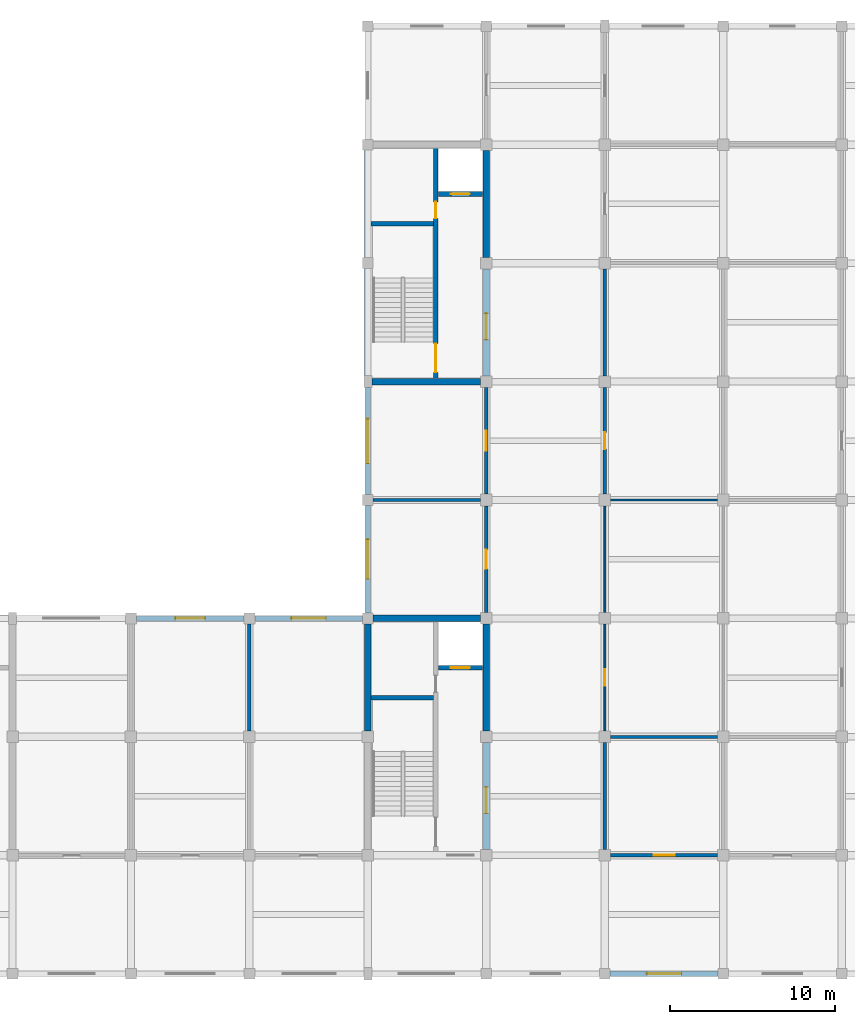
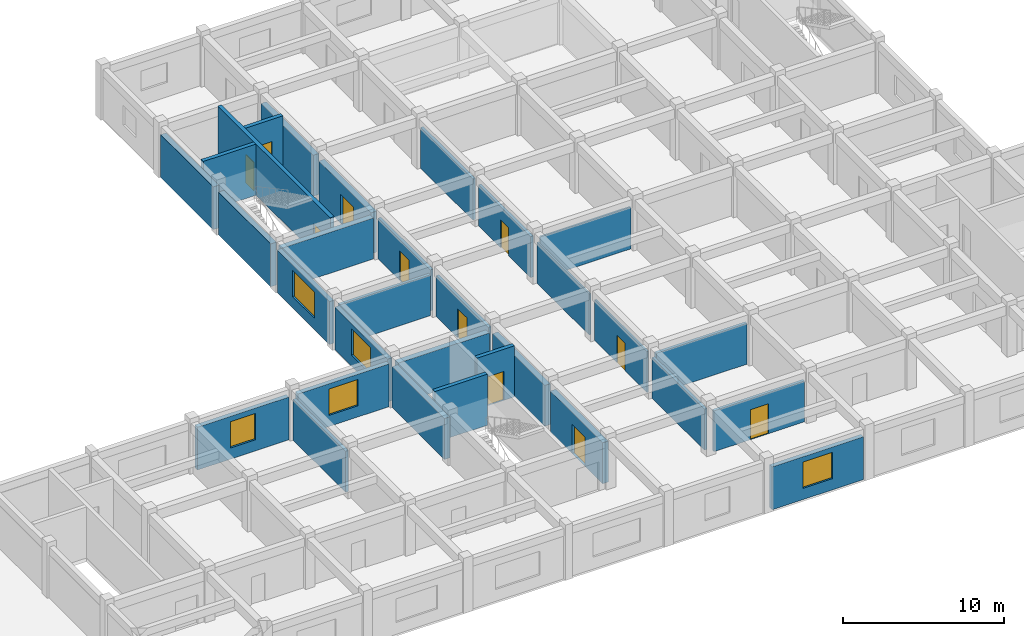
# One storey, part 5 of 10: 31 walls, 11 doors, 5 windows, 16 openings.
"""IFC4 building model written with IfcOpenShell, lengths in metres."""

from ifc_helpers import new_model, si_unit, direction, frame, frame_2d, origin, place, context, subcontext, project, spatial, rectangle, extrude, material, layer, layer_set, type_object, element, fill, save


model = new_model("IFC4")

# Units and contexts
model_context = context("Model", 3, precision=1e-05, world=origin(), true_north=direction((0.0, 1.0)))
body_context = subcontext(model_context, "Body", "Model", "MODEL_VIEW")
ifc_project = project(units=[si_unit("LENGTHUNIT", "METRE"), si_unit("AREAUNIT", "SQUARE_METRE"), si_unit("VOLUMEUNIT", "CUBIC_METRE"), si_unit("PLANEANGLEUNIT", "RADIAN"), si_unit("MASSUNIT", "GRAM", prefix="KILO")], contexts=[model_context])

# Site, building, storey
site_placement = place(None, origin())
site = spatial("IfcSite", under=ifc_project, at=site_placement, CompositionType="ELEMENT")
building_placement = place(site_placement, origin())
building = spatial("IfcBuilding", under=site, at=building_placement, Name="Cendaluz Park School", CompositionType="ELEMENT")
storey_placement = place(building_placement, frame((0.0, 0.0, 30.60009765625)))
storey = spatial("IfcBuildingStorey", under=building, at=storey_placement, Name="L07", CompositionType="ELEMENT", Elevation=30.60009765625)

# Wall
ifc_material_1 = material(Name="Gypsum Plasterboard on Cold-Formed Stud", Category="gypsum")
ifc_layer_1 = layer(ifc_material_1, 0.199951171875)
ifc_layer_set_1 = layer_set([ifc_layer_1], Name="Gypsum Plasterboard on Cold-Formed Stud")
wall_type_1 = type_object("IfcWallType", Name="W-AC20", PredefinedType="PARTITIONING", material=ifc_layer_set_1)
wall_1_placement = place(storey_placement, frame((65.125, 36.0, 0.0), z_axis=(0.0, 0.0, 1.0), x_axis=(1.0, 0.0, 0.0)))
element("IfcWall", 1, at=wall_1_placement, inside=storey, type_object=wall_type_1, Name="WL-FH-BP0", PredefinedType="PARTITIONING", context=body_context, shape_type="SweptSolid", body=[
    extrude(rectangle(XDim=6.52490234375, YDim=0.199951171875, at=frame_2d((3.262451171875, 0.0))), origin(), (0.0, 0.0, 1.0), 3.10986328125),
])

# Wall, opening, door
wall_2_placement = place(storey_placement, frame((72.0, 29.14990234375, 0.0), z_axis=(0.0, 0.0, 1.0), x_axis=(0.0, 1.0, 0.0)))
wall_2 = element("IfcWall", 2, at=wall_2_placement, inside=storey, type_object=wall_type_1, Name="WL-FH-BP1", PredefinedType="PARTITIONING", context=body_context, shape_type="SweptSolid", body=[
    extrude(rectangle(XDim=6.5, YDim=0.199951171875, at=frame_2d((3.25, 0.0))), origin(), (0.0, 0.0, 1.0), 3.10986328125),
])
opening_1_placement = place(wall_2_placement, frame((2.669921875, 0.0, 0.0)))
opening_1 = element("IfcOpeningElement", 3, at=opening_1_placement, cuts=wall_2, Name="Opening DCL-07", PredefinedType="OPENING", context=body_context, shape_type="SweptSolid", body=[
    extrude(rectangle(XDim=1.159912109375, YDim=2.219970703125, at=frame_2d((0.580078125, 1.10986328125))), frame((0.0, 0.112060546875, 0.0), z_axis=(0.0, -1.0, 0.0), x_axis=(1.0, 0.0, 0.0)), (0.0, 0.0, 1.0), 0.223876953125),
])
ifc_material_2 = material(Name="Solid Core Hardwood", Category="wood")
door_type_1 = type_object("IfcDoorType", Name="DCL-07", OperationType="NOTDEFINED", PredefinedType="DOOR", material=ifc_material_2)
door_1_placement = place(opening_1_placement, origin())
door_1 = element("IfcDoor", 4, at=door_1_placement, inside=storey, type_object=door_type_1, Name="D-L07-037", OperationType="SINGLE_SWING_RIGHT", OverallHeight=2.219970703125, OverallWidth=1.159912109375, PredefinedType="DOOR", context=body_context, shape_type="SweptSolid", body=[
    extrude(rectangle(XDim=1.159912109375, YDim=2.219970703125, at=frame_2d((0.580078125, 1.10986328125))), frame((0.0, 0.02490234375, 0.0), z_axis=(0.0, -1.0, 0.0), x_axis=(1.0, 0.0, 0.0)), (0.0, 0.0, 1.0), 0.050048828125),
])
fill(opening_1, door_1)

wall_3_placement = place(storey_placement, frame((72.0, 36.35009765625, 0.0), z_axis=(0.0, 0.0, 1.0), x_axis=(0.0, 1.0, 0.0)))
wall_3 = element("IfcWall", 5, at=wall_3_placement, inside=storey, type_object=wall_type_1, Name="WL-FH-BP2", PredefinedType="PARTITIONING", context=body_context, shape_type="SweptSolid", body=[
    extrude(rectangle(XDim=6.5, YDim=0.199951171875, at=frame_2d((3.25, 0.0))), origin(), (0.0, 0.0, 1.0), 3.10986328125),
])
opening_2_placement = place(wall_3_placement, frame((2.64990234375, 0.0, 0.0)))
opening_2 = element("IfcOpeningElement", 6, at=opening_2_placement, cuts=wall_3, Name="Opening DCL-08", PredefinedType="OPENING", context=body_context, shape_type="SweptSolid", body=[
    extrude(rectangle(XDim=1.199951171875, YDim=2.239990234375, at=frame_2d((0.60009765625, 1.1201171875))), frame((0.0, 0.112060546875, 0.0), z_axis=(0.0, -1.0, 0.0), x_axis=(1.0, 0.0, 0.0)), (0.0, 0.0, 1.0), 0.223876953125),
])
door_type_2 = type_object("IfcDoorType", Name="DCL-08", OperationType="NOTDEFINED", PredefinedType="DOOR", material=ifc_material_2)
door_2_placement = place(opening_2_placement, origin())
door_2 = element("IfcDoor", 7, at=door_2_placement, inside=storey, type_object=door_type_2, Name="D-L07-038", OperationType="SINGLE_SWING_LEFT", OverallHeight=2.239990234375, OverallWidth=1.199951171875, PredefinedType="DOOR", context=body_context, shape_type="SweptSolid", body=[
    extrude(rectangle(XDim=1.199951171875, YDim=2.239990234375, at=frame_2d((0.60009765625, 1.1201171875))), frame((0.0, 0.02490234375, 0.0), z_axis=(0.0, -1.0, 0.0), x_axis=(1.0, 0.0, 0.0)), (0.0, 0.0, 1.0), 0.050048828125),
])
fill(opening_2, door_2)

wall_4_placement = place(storey_placement, frame((79.550048828125, 14.39990234375, 0.0), z_axis=(0.0, 0.0, 1.0), x_axis=(1.0, 0.0, 0.0)))
wall_4 = element("IfcWall", 8, at=wall_4_placement, inside=storey, type_object=wall_type_1, Name="WL-FH-BP4", PredefinedType="PARTITIONING", context=body_context, shape_type="SweptSolid", body=[
    extrude(rectangle(XDim=6.5, YDim=0.199951171875, at=frame_2d((3.25, 0.0))), origin(), (0.0, 0.0, 1.0), 3.10986328125),
])
opening_3_placement = place(wall_4_placement, frame((2.610107421875, 0.0, 0.0)))
opening_3 = element("IfcOpeningElement", 9, at=opening_3_placement, cuts=wall_4, Name="Opening DCL-10", PredefinedType="OPENING", context=body_context, shape_type="SweptSolid", body=[
    extrude(rectangle(XDim=1.280029296875, YDim=2.280029296875, at=frame_2d((0.64013671875, 1.14013671875))), frame((0.0, 0.112060546875, 0.0), z_axis=(0.0, -1.0, 0.0), x_axis=(1.0, 0.0, 0.0)), (0.0, 0.0, 1.0), 0.223876953125),
])
door_type_3 = type_object("IfcDoorType", Name="DCL-10", OperationType="NOTDEFINED", PredefinedType="DOOR", material=ifc_material_2)
door_3_placement = place(opening_3_placement, origin())
door_3 = element("IfcDoor", 10, at=door_3_placement, inside=storey, type_object=door_type_3, Name="D-L07-040", OperationType="SINGLE_SWING_LEFT", OverallHeight=2.280029296875, OverallWidth=1.280029296875, PredefinedType="DOOR", context=body_context, shape_type="SweptSolid", body=[
    extrude(rectangle(XDim=1.280029296875, YDim=2.280029296875, at=frame_2d((0.64013671875, 1.14013671875))), frame((0.0, 0.02490234375, 0.0), z_axis=(0.0, -1.0, 0.0), x_axis=(1.0, 0.0, 0.0)), (0.0, 0.0, 1.0), 0.050048828125),
])
fill(opening_3, door_3)

# Walls
for number, where, z_axis, x_axis, name in (
    (11, (79.550048828125, 21.60009765625, 0.0), (0.0, 0.0, 1.0), (1.0, 0.0, 0.0), "WL-FH-BP5"),
    (12, (79.199951171875, 14.75, 0.0), (0.0, 0.0, 1.0), (0.0, 1.0, 0.0), "WL-FH-BP6"),
):
    element("IfcWall", number, at=place(storey_placement, frame(where, z_axis=z_axis, x_axis=x_axis)), inside=storey, type_object=wall_type_1, Name=name, PredefinedType="PARTITIONING", context=body_context, shape_type="SweptSolid", body=[
        extrude(rectangle(XDim=6.5, YDim=0.199951171875, at=frame_2d((3.25, 0.0))), origin(), (0.0, 0.0, 1.0), 3.10986328125),
    ])

# Wall, opening, door
wall_5_placement = place(storey_placement, frame((79.199951171875, 36.35009765625, 0.0), z_axis=(0.0, 0.0, 1.0), x_axis=(0.0, 1.0, 0.0)))
wall_5 = element("IfcWall", 13, at=wall_5_placement, inside=storey, type_object=wall_type_1, Name="WL-FH-BQ3", PredefinedType="PARTITIONING", context=body_context, shape_type="SweptSolid", body=[
    extrude(rectangle(XDim=6.5, YDim=0.199951171875, at=frame_2d((3.25, 0.0))), origin(), (0.0, 0.0, 1.0), 3.10986328125),
])
opening_4_placement = place(wall_5_placement, frame((2.739990234375, 0.0, 0.0)))
opening_4 = element("IfcOpeningElement", 14, at=opening_4_placement, cuts=wall_5, Name="Opening DCL-02", PredefinedType="OPENING", context=body_context, shape_type="SweptSolid", body=[
    extrude(rectangle(XDim=1.02001953125, YDim=2.1201171875, at=frame_2d((0.510009765625, 1.06005859375))), frame((0.0, 0.112060546875, 0.0), z_axis=(0.0, -1.0, 0.0), x_axis=(1.0, 0.0, 0.0)), (0.0, 0.0, 1.0), 0.223876953125),
])
door_type_4 = type_object("IfcDoorType", Name="DCL-02", OperationType="NOTDEFINED", PredefinedType="DOOR", material=ifc_material_2)
door_4_placement = place(opening_4_placement, frame((1.02001953125, 0.0, 0.0), z_axis=(0.0, 0.0, 1.0), x_axis=(-1.0, 0.0, 0.0)))
door_4 = element("IfcDoor", 15, at=door_4_placement, inside=storey, type_object=door_type_4, Name="D-L07-042", OperationType="SINGLE_SWING_LEFT", OverallHeight=2.1201171875, OverallWidth=1.02001953125, PredefinedType="DOOR", context=body_context, shape_type="SweptSolid", body=[
    extrude(rectangle(XDim=1.02001953125, YDim=2.1201171875, at=frame_2d((0.510009765625, 1.06005859375))), frame((0.0, 0.02490234375, 0.0), z_axis=(0.0, -1.0, 0.0), x_axis=(1.0, 0.0, 0.0)), (0.0, 0.0, 1.0), 0.050048828125),
])
fill(opening_4, door_4)

# Wall
wall_6_placement = place(storey_placement, frame((79.199951171875, 43.550048828125, 0.0), z_axis=(0.0, 0.0, 1.0), x_axis=(0.0, 1.0, 0.0)))
element("IfcWall", 16, at=wall_6_placement, inside=storey, type_object=wall_type_1, Name="WL-FH-BQ5", PredefinedType="PARTITIONING", context=body_context, shape_type="SweptSolid", body=[
    extrude(rectangle(XDim=6.5, YDim=0.199951171875, at=frame_2d((3.25, 0.0))), origin(), (0.0, 0.0, 1.0), 3.10986328125),
])

# Wall, opening, window
ifc_material_3 = material(Name="Concrete C40/50 precast", Category="concrete")
ifc_layer_2 = layer(ifc_material_3, 0.320068359375)
ifc_layer_set_2 = layer_set([ifc_layer_2], Name="Concrete C40/50 precast")
wall_type_2 = type_object("IfcWallType", Name="W-EX32", PredefinedType="SOLIDWALL", material=ifc_layer_set_2)
wall_7_placement = place(storey_placement, frame((50.72509765625, 28.800048828125, 0.0), z_axis=(0.0, 0.0, 1.0), x_axis=(1.0, 0.0, 0.0)))
wall_7 = element("IfcWall", 17, at=wall_7_placement, inside=storey, type_object=wall_type_2, Name="WL-FH-AA5", PredefinedType="SOLIDWALL", context=body_context, shape_type="SweptSolid", body=[
    extrude(rectangle(XDim=6.5498046875, YDim=0.320068359375, at=frame_2d((3.27490234375, 0.0))), origin(), (0.0, 0.0, 1.0), 3.25),
])
opening_5_placement = place(wall_7_placement, frame((2.375, 0.0, 0.85009765625)))
opening_5 = element("IfcOpeningElement", 18, at=opening_5_placement, cuts=wall_7, Name="Opening WN-10", PredefinedType="OPENING", context=body_context, shape_type="SweptSolid", body=[
    extrude(rectangle(XDim=1.800048828125, YDim=2.0, at=frame_2d((0.89990234375, 1.0))), frame((0.0, 0.172119140625, 0.0), z_axis=(0.0, -1.0, 0.0), x_axis=(1.0, 0.0, 0.0)), (0.0, 0.0, 1.0), 0.343994140625),
])
ifc_material_4 = material(Name="Tempered Low-E Double Glazing", Category="glass")
window_type_1 = type_object("IfcWindowType", Name="WN-10", PartitioningType="SINGLE_PANEL", PredefinedType="WINDOW", material=ifc_material_4)
window_1_placement = place(opening_5_placement, origin())
window_1 = element("IfcWindow", 19, at=window_1_placement, inside=storey, type_object=window_type_1, Name="WN-L07-005", OverallHeight=2.0, OverallWidth=1.800048828125, PartitioningType="SINGLE_PANEL", PredefinedType="WINDOW", context=body_context, shape_type="SweptSolid", body=[
    extrude(rectangle(XDim=1.800048828125, YDim=2.0, at=frame_2d((0.89990234375, 1.0))), frame((0.0, 0.030029296875, 0.0), z_axis=(0.0, -1.0, 0.0), x_axis=(1.0, 0.0, 0.0)), (0.0, 0.0, 1.0), 0.06005859375),
])
fill(opening_5, window_1)

wall_8_placement = place(storey_placement, frame((57.925048828125, 28.800048828125, 0.0), z_axis=(0.0, 0.0, 1.0), x_axis=(1.0, 0.0, 0.0)))
wall_8 = element("IfcWall", 20, at=wall_8_placement, inside=storey, type_object=wall_type_2, Name="WL-FH-AA7", PredefinedType="SOLIDWALL", context=body_context, shape_type="SweptSolid", body=[
    extrude(rectangle(XDim=6.550048828125, YDim=0.320068359375, at=frame_2d((3.27490234375, 0.0))), origin(), (0.0, 0.0, 1.0), 3.25),
])
opening_6_placement = place(wall_8_placement, frame((2.22509765625, 0.0, 0.85009765625)))
opening_6 = element("IfcOpeningElement", 21, at=opening_6_placement, cuts=wall_8, Name="Opening WN-11", PredefinedType="OPENING", context=body_context, shape_type="SweptSolid", body=[
    extrude(rectangle(XDim=2.10009765625, YDim=2.0, at=frame_2d((1.050048828125, 1.0))), frame((0.0, 0.172119140625, 0.0), z_axis=(0.0, -1.0, 0.0), x_axis=(1.0, 0.0, 0.0)), (0.0, 0.0, 1.0), 0.343994140625),
])
window_type_2 = type_object("IfcWindowType", Name="WN-11", PartitioningType="SINGLE_PANEL", PredefinedType="WINDOW", material=ifc_material_4)
window_2_placement = place(opening_6_placement, origin())
window_2 = element("IfcWindow", 22, at=window_2_placement, inside=storey, type_object=window_type_2, Name="WN-L07-007", OverallHeight=2.0, OverallWidth=2.10009765625, PartitioningType="SINGLE_PANEL", PredefinedType="WINDOW", context=body_context, shape_type="SweptSolid", body=[
    extrude(rectangle(XDim=2.10009765625, YDim=2.0, at=frame_2d((1.050048828125, 1.0))), frame((0.0, 0.030029296875, 0.0), z_axis=(0.0, -1.0, 0.0), x_axis=(1.0, 0.0, 0.0)), (0.0, 0.0, 1.0), 0.06005859375),
])
fill(opening_6, window_2)

wall_9_placement = place(storey_placement, frame((64.800048828125, 29.125, 0.0), z_axis=(0.0, 0.0, 1.0), x_axis=(0.0, 1.0, 0.0)))
wall_9 = element("IfcWall", 23, at=wall_9_placement, inside=storey, type_object=wall_type_2, Name="WL-FH-AA9", PredefinedType="SOLIDWALL", context=body_context, shape_type="SweptSolid", body=[
    extrude(rectangle(XDim=6.550048828125, YDim=0.320068359375, at=frame_2d((3.27490234375, 0.0))), origin(), (0.0, 0.0, 1.0), 3.25),
])
opening_7_placement = place(wall_9_placement, frame((2.074951171875, 0.0, 0.85009765625)))
opening_7 = element("IfcOpeningElement", 24, at=opening_7_placement, cuts=wall_9, Name="Opening WN-12", PredefinedType="OPENING", context=body_context, shape_type="SweptSolid", body=[
    extrude(rectangle(XDim=2.39990234375, YDim=2.0, at=frame_2d((1.199951171875, 1.0))), frame((0.0, 0.172119140625, 0.0), z_axis=(0.0, -1.0, 0.0), x_axis=(1.0, 0.0, 0.0)), (0.0, 0.0, 1.0), 0.343994140625),
])
window_type_3 = type_object("IfcWindowType", Name="WN-12", PartitioningType="SINGLE_PANEL", PredefinedType="WINDOW", material=ifc_material_4)
window_3_placement = place(opening_7_placement, origin())
window_3 = element("IfcWindow", 25, at=window_3_placement, inside=storey, type_object=window_type_3, Name="WN-L07-009", OverallHeight=2.0, OverallWidth=2.39990234375, PartitioningType="SINGLE_PANEL", PredefinedType="WINDOW", context=body_context, shape_type="SweptSolid", body=[
    extrude(rectangle(XDim=2.39990234375, YDim=2.0, at=frame_2d((1.199951171875, 1.0))), frame((0.0, 0.030029296875, 0.0), z_axis=(0.0, -1.0, 0.0), x_axis=(1.0, 0.0, 0.0)), (0.0, 0.0, 1.0), 0.06005859375),
])
fill(opening_7, window_3)

wall_10_placement = place(storey_placement, frame((64.800048828125, 36.324951171875, 0.0), z_axis=(0.0, 0.0, 1.0), x_axis=(0.0, 1.0, 0.0)))
wall_10 = element("IfcWall", 26, at=wall_10_placement, inside=storey, type_object=wall_type_2, Name="WL-FH-AB0", PredefinedType="SOLIDWALL", context=body_context, shape_type="SweptSolid", body=[
    extrude(rectangle(XDim=6.5, YDim=0.320068359375, at=frame_2d((3.25, 0.0))), origin(), (0.0, 0.0, 1.0), 3.25),
])
opening_8_placement = place(wall_10_placement, frame((1.89990234375, 0.0, 0.85009765625)))
opening_8 = element("IfcOpeningElement", 27, at=opening_8_placement, cuts=wall_10, Name="Opening WN-13", PredefinedType="OPENING", context=body_context, shape_type="SweptSolid", body=[
    extrude(rectangle(XDim=2.699951171875, YDim=2.0, at=frame_2d((1.35009765625, 1.0))), frame((0.0, 0.172119140625, 0.0), z_axis=(0.0, -1.0, 0.0), x_axis=(1.0, 0.0, 0.0)), (0.0, 0.0, 1.0), 0.343994140625),
])
window_type_4 = type_object("IfcWindowType", Name="WN-13", PartitioningType="SINGLE_PANEL", PredefinedType="WINDOW", material=ifc_material_4)
window_4_placement = place(opening_8_placement, origin())
window_4 = element("IfcWindow", 28, at=window_4_placement, inside=storey, type_object=window_type_4, Name="WN-L07-010", OverallHeight=2.0, OverallWidth=2.699951171875, PartitioningType="SINGLE_PANEL", PredefinedType="WINDOW", context=body_context, shape_type="SweptSolid", body=[
    extrude(rectangle(XDim=2.699951171875, YDim=2.0, at=frame_2d((1.35009765625, 1.0))), frame((0.0, 0.030029296875, 0.0), z_axis=(0.0, -1.0, 0.0), x_axis=(1.0, 0.0, 0.0)), (0.0, 0.0, 1.0), 0.06005859375),
])
fill(opening_8, window_4)

wall_11_placement = place(storey_placement, frame((79.52490234375, 7.199951171875, 0.0), z_axis=(0.0, 0.0, 1.0), x_axis=(1.0, 0.0, 0.0)))
wall_11 = element("IfcWall", 29, at=wall_11_placement, inside=storey, type_object=wall_type_2, Name="WL-FH-AB5", PredefinedType="SOLIDWALL", context=body_context, shape_type="SweptSolid", body=[
    extrude(rectangle(XDim=6.550048828125, YDim=0.320068359375, at=frame_2d((3.27490234375, 0.0))), origin(), (0.0, 0.0, 1.0), 3.25),
])
opening_9_placement = place(wall_11_placement, frame((2.22509765625, 0.0, 0.85009765625)))
opening_9 = element("IfcOpeningElement", 30, at=opening_9_placement, cuts=wall_11, Name="Opening WN-11", PredefinedType="OPENING", context=body_context, shape_type="SweptSolid", body=[
    extrude(rectangle(XDim=2.10009765625, YDim=2.0, at=frame_2d((1.050048828125, 1.0))), frame((0.0, 0.172119140625, 0.0), z_axis=(0.0, -1.0, 0.0), x_axis=(1.0, 0.0, 0.0)), (0.0, 0.0, 1.0), 0.343994140625),
])
window_5_placement = place(opening_9_placement, origin())
window_5 = element("IfcWindow", 31, at=window_5_placement, inside=storey, type_object=window_type_2, Name="WN-L07-015", OverallHeight=2.0, OverallWidth=2.10009765625, PartitioningType="SINGLE_PANEL", PredefinedType="WINDOW", context=body_context, shape_type="SweptSolid", body=[
    extrude(rectangle(XDim=2.10009765625, YDim=2.0, at=frame_2d((1.050048828125, 1.0))), frame((0.0, 0.030029296875, 0.0), z_axis=(0.0, -1.0, 0.0), x_axis=(1.0, 0.0, 0.0)), (0.0, 0.0, 1.0), 0.06005859375),
])
fill(opening_9, window_5)

# Wall
ifc_material_5 = material(Name="Concrete C40/50", Category="concrete")
ifc_layer_3 = layer(ifc_material_5, 0.280029296875)
ifc_layer_set_3 = layer_set([ifc_layer_3], Name="Concrete C40/50")
wall_type_3 = type_object("IfcWallType", Name="W-FW28", PredefinedType="SHEAR", material=ifc_layer_set_3)
wall_12_placement = place(storey_placement, frame((65.0, 23.97998046875, 0.0), z_axis=(0.0, 0.0, 1.0), x_axis=(1.0, 0.0, 0.0)))
element("IfcWall", 32, at=wall_12_placement, inside=storey, type_object=wall_type_3, Name="WL-FH-BI1", PredefinedType="SHEAR", context=body_context, shape_type="SweptSolid", body=[
    extrude(rectangle(XDim=3.780029296875, YDim=0.280029296875, at=frame_2d((1.89013671875, 0.0))), origin(), (0.0, 0.0, 1.0), 3.8798828125),
])

# Wall, opening, door
wall_13_placement = place(storey_placement, frame((69.080078125, 25.800048828125, 0.0), z_axis=(0.0, 0.0, 1.0), x_axis=(1.0, 0.0, 0.0)))
wall_13 = element("IfcWall", 33, at=wall_13_placement, inside=storey, type_object=wall_type_3, Name="WL-FH-BI2", PredefinedType="SHEAR", context=body_context, shape_type="SweptSolid", body=[
    extrude(rectangle(XDim=2.679931640625, YDim=0.280029296875, at=frame_2d((1.33984375, 0.0))), origin(), (0.0, 0.0, 1.0), 3.8798828125),
])
opening_10_placement = place(wall_13_placement, frame((0.764892578125, 0.0, 0.0)))
opening_10 = element("IfcOpeningElement", 34, at=opening_10_placement, cuts=wall_13, Name="Opening LD-01", PredefinedType="OPENING", context=body_context, shape_type="SweptSolid", body=[
    extrude(rectangle(XDim=1.14990234375, YDim=2.199951171875, at=frame_2d((0.574951171875, 1.10009765625))), frame((0.0, 0.152099609375, 0.0), z_axis=(0.0, -1.0, 0.0), x_axis=(1.0, 0.0, 0.0)), (0.0, 0.0, 1.0), 0.303955078125),
])
ifc_material_6 = material(Name="Stainless Steel 316L", Category="steel")
door_type_5 = type_object("IfcDoorType", Name="LD-01", OperationType="DOUBLE_DOOR_SLIDING", PredefinedType="DOOR", material=ifc_material_6)
door_5_placement = place(opening_10_placement, frame((1.14990234375, 0.0, 0.0), z_axis=(0.0, 0.0, 1.0), x_axis=(-1.0, 0.0, 0.0)))
door_5 = element("IfcDoor", 35, at=door_5_placement, inside=storey, type_object=door_type_5, Name="D-L07-007", OperationType="DOUBLE_DOOR_SLIDING", OverallHeight=2.199951171875, OverallWidth=1.14990234375, PredefinedType="DOOR", context=body_context, shape_type="SweptSolid", body=[
    extrude(rectangle(XDim=1.14990234375, YDim=2.199951171875, at=frame_2d((0.574951171875, 1.10009765625))), frame((0.0, 0.02490234375, 0.0), z_axis=(0.0, -1.0, 0.0), x_axis=(1.0, 0.0, 0.0)), (0.0, 0.0, 1.0), 0.050048828125),
])
fill(opening_10, door_5)

# Wall, openings, doors
wall_14_placement = place(storey_placement, frame((68.919921875, 43.39990234375, 0.0), z_axis=(0.0, 0.0, 1.0), x_axis=(0.0, 1.0, 0.0)))
wall_14 = element("IfcWall", 36, at=wall_14_placement, inside=storey, type_object=wall_type_3, Name="WL-FH-BJ8", PredefinedType="SHEAR", context=body_context, shape_type="SweptSolid", body=[
    extrude(rectangle(XDim=14.0, YDim=0.280029296875, at=frame_2d((7.0, 0.0))), origin(), (0.0, 0.0, 1.0), 3.8798828125),
])
opening_11_placement = place(wall_14_placement, frame((0.35009765625, 0.0, 0.0)))
opening_11 = element("IfcOpeningElement", 37, at=opening_11_placement, cuts=wall_14, Name="Opening DST-03", PredefinedType="OPENING", context=body_context, shape_type="SweptSolid", body=[
    extrude(rectangle(XDim=1.75, YDim=2.14990234375, at=frame_2d((0.875, 1.074951171875))), frame((0.0, 0.152099609375, 0.0), z_axis=(0.0, -1.0, 0.0), x_axis=(1.0, 0.0, 0.0)), (0.0, 0.0, 1.0), 0.303955078125),
])
opening_12_placement = place(wall_14_placement, frame((9.719970703125, 0.0, 0.0)))
opening_12 = element("IfcOpeningElement", 38, at=opening_12_placement, cuts=wall_14, Name="Opening DFC-01", PredefinedType="OPENING", context=body_context, shape_type="SweptSolid", body=[
    extrude(rectangle(XDim=1.0, YDim=2.14990234375, at=frame_2d((0.5, 1.074951171875))), frame((0.0, 0.152099609375, 0.0), z_axis=(0.0, -1.0, 0.0), x_axis=(1.0, 0.0, 0.0)), (0.0, 0.0, 1.0), 0.303955078125),
])
door_type_6 = type_object("IfcDoorType", Name="DFC-01", OperationType="NOTDEFINED", PredefinedType="DOOR", material=ifc_material_2)
door_6_placement = place(opening_12_placement, origin())
door_6 = element("IfcDoor", 39, at=door_6_placement, inside=storey, type_object=door_type_6, Name="D-L07-015", OperationType="SINGLE_SWING_LEFT", OverallHeight=2.14990234375, OverallWidth=1.0, PredefinedType="DOOR", context=body_context, shape_type="SweptSolid", body=[
    extrude(rectangle(XDim=1.0, YDim=2.14990234375, at=frame_2d((0.5, 1.074951171875))), frame((0.0, 0.02490234375, 0.0), z_axis=(0.0, -1.0, 0.0), x_axis=(1.0, 0.0, 0.0)), (0.0, 0.0, 1.0), 0.050048828125),
])
fill(opening_12, door_6)
door_type_7 = type_object("IfcDoorType", Name="DST-03", OperationType="DOUBLE_DOOR_SINGLE_SWING", PredefinedType="DOOR", material=ifc_material_2)
door_7_placement = place(opening_11_placement, origin())
door_7 = element("IfcDoor", 40, at=door_7_placement, inside=storey, type_object=door_type_7, Name="D-L07-014", OperationType="DOUBLE_DOOR_SINGLE_SWING", OverallHeight=2.14990234375, OverallWidth=1.75, PredefinedType="DOOR", context=body_context, shape_type="SweptSolid", body=[
    extrude(rectangle(XDim=1.75, YDim=2.14990234375, at=frame_2d((0.875, 1.074951171875))), frame((0.0, 0.02490234375, 0.0), z_axis=(0.0, -1.0, 0.0), x_axis=(1.0, 0.0, 0.0)), (0.0, 0.0, 1.0), 0.050048828125),
])
fill(opening_11, door_7)

# Wall
wall_15_placement = place(storey_placement, frame((65.0, 52.780029296875, 0.0), z_axis=(0.0, 0.0, 1.0), x_axis=(1.0, 0.0, 0.0)))
element("IfcWall", 41, at=wall_15_placement, inside=storey, type_object=wall_type_3, Name="WL-FH-BJ9", PredefinedType="SHEAR", context=body_context, shape_type="SweptSolid", body=[
    extrude(rectangle(XDim=3.780029296875, YDim=0.280029296875, at=frame_2d((1.89013671875, 0.0))), origin(), (0.0, 0.0, 1.0), 3.8798828125),
])

# Wall, opening, door
wall_16_placement = place(storey_placement, frame((69.080078125, 54.60009765625, 0.0), z_axis=(0.0, 0.0, 1.0), x_axis=(1.0, 0.0, 0.0)))
wall_16 = element("IfcWall", 42, at=wall_16_placement, inside=storey, type_object=wall_type_3, Name="WL-FH-BK0", PredefinedType="SHEAR", context=body_context, shape_type="SweptSolid", body=[
    extrude(rectangle(XDim=2.679931640625, YDim=0.280029296875, at=frame_2d((1.33984375, 0.0))), origin(), (0.0, 0.0, 1.0), 3.8798828125),
])
opening_13_placement = place(wall_16_placement, frame((0.764892578125, 0.0, 0.0)))
opening_13 = element("IfcOpeningElement", 43, at=opening_13_placement, cuts=wall_16, Name="Opening LD-01", PredefinedType="OPENING", context=body_context, shape_type="SweptSolid", body=[
    extrude(rectangle(XDim=1.14990234375, YDim=2.199951171875, at=frame_2d((0.574951171875, 1.10009765625))), frame((0.0, 0.152099609375, 0.0), z_axis=(0.0, -1.0, 0.0), x_axis=(1.0, 0.0, 0.0)), (0.0, 0.0, 1.0), 0.303955078125),
])
door_8_placement = place(opening_13_placement, frame((1.14990234375, 0.0, 0.0), z_axis=(0.0, 0.0, 1.0), x_axis=(-1.0, 0.0, 0.0)))
door_8 = element("IfcDoor", 44, at=door_8_placement, inside=storey, type_object=door_type_5, Name="D-L07-016", OperationType="DOUBLE_DOOR_SLIDING", OverallHeight=2.199951171875, OverallWidth=1.14990234375, PredefinedType="DOOR", context=body_context, shape_type="SweptSolid", body=[
    extrude(rectangle(XDim=1.14990234375, YDim=2.199951171875, at=frame_2d((0.574951171875, 1.10009765625))), frame((0.0, 0.02490234375, 0.0), z_axis=(0.0, -1.0, 0.0), x_axis=(1.0, 0.0, 0.0)), (0.0, 0.0, 1.0), 0.050048828125),
])
fill(opening_13, door_8)

# Wall
ifc_layer_4 = layer(ifc_material_1, 0.219970703125)
ifc_layer_set_4 = layer_set([ifc_layer_4], Name="Gypsum Plasterboard on Cold-Formed Stud")
wall_type_4 = type_object("IfcWallType", Name="W-LB22", PredefinedType="PARTITIONING", material=ifc_layer_set_4)
wall_17_placement = place(storey_placement, frame((57.60009765625, 21.949951171875, 0.0), z_axis=(0.0, 0.0, 1.0), x_axis=(0.0, 1.0, 0.0)))
element("IfcWall", 45, at=wall_17_placement, inside=storey, type_object=wall_type_4, Name="WL-FH-BO1", PredefinedType="PARTITIONING", context=body_context, shape_type="SweptSolid", body=[
    extrude(rectangle(XDim=6.525146484375, YDim=0.219970703125, at=frame_2d((3.2626953125, 0.0))), origin(), (0.0, 0.0, 1.0), 3.10986328125),
])

# Wall, opening, door
ifc_layer_5 = layer(ifc_material_1, 0.1201171875)
ifc_layer_set_5 = layer_set([ifc_layer_5], Name="Gypsum Plasterboard on Cold-Formed Stud")
wall_type_5 = type_object("IfcWallType", Name="W-MV12", PredefinedType="MOVABLE", material=ifc_layer_set_5)
wall_18_placement = place(storey_placement, frame((79.199951171875, 21.949951171875, 0.0), z_axis=(0.0, 0.0, 1.0), x_axis=(0.0, 1.0, 0.0)))
wall_18 = element("IfcWall", 46, at=wall_18_placement, inside=storey, type_object=wall_type_5, Name="WL-FH-BP8", PredefinedType="MOVABLE", context=body_context, shape_type="SweptSolid", body=[
    extrude(rectangle(XDim=6.5, YDim=0.1201171875, at=frame_2d((3.25, 0.0))), origin(), (0.0, 0.0, 1.0), 3.10986328125),
])
opening_14_placement = place(wall_18_placement, frame((2.75, 0.0, 0.0)))
opening_14 = element("IfcOpeningElement", 47, at=opening_14_placement, cuts=wall_18, Name="Opening DCL-01", PredefinedType="OPENING", context=body_context, shape_type="SweptSolid", body=[
    extrude(rectangle(XDim=1.0, YDim=2.10009765625, at=frame_2d((0.5, 1.050048828125))), frame((0.0, 0.072021484375, 0.0), z_axis=(0.0, -1.0, 0.0), x_axis=(1.0, 0.0, 0.0)), (0.0, 0.0, 1.0), 0.14404296875),
])
door_type_8 = type_object("IfcDoorType", Name="DCL-01", OperationType="NOTDEFINED", PredefinedType="DOOR", material=ifc_material_2)
door_9_placement = place(opening_14_placement, frame((1.0, 0.0, 0.0), z_axis=(0.0, 0.0, 1.0), x_axis=(-1.0, 0.0, 0.0)))
door_9 = element("IfcDoor", 48, at=door_9_placement, inside=storey, type_object=door_type_8, Name="D-L07-041", OperationType="SINGLE_SWING_RIGHT", OverallHeight=2.10009765625, OverallWidth=1.0, PredefinedType="DOOR", context=body_context, shape_type="SweptSolid", body=[
    extrude(rectangle(XDim=1.0, YDim=2.10009765625, at=frame_2d((0.5, 1.050048828125))), frame((0.0, 0.02490234375, 0.0), z_axis=(0.0, -1.0, 0.0), x_axis=(1.0, 0.0, 0.0)), (0.0, 0.0, 1.0), 0.050048828125),
])
fill(opening_14, door_9)

# Walls
wall_19_placement = place(storey_placement, frame((79.550048828125, 36.0, 0.0), z_axis=(0.0, 0.0, 1.0), x_axis=(1.0, 0.0, 0.0)))
element("IfcWall", 49, at=wall_19_placement, inside=storey, type_object=wall_type_5, Name="WL-FH-BQ0", PredefinedType="MOVABLE", context=body_context, shape_type="SweptSolid", body=[
    extrude(rectangle(XDim=6.5, YDim=0.1201171875, at=frame_2d((3.25, 0.0))), origin(), (0.0, 0.0, 1.0), 3.179931640625),
])
wall_20_placement = place(storey_placement, frame((79.199951171875, 29.14990234375, 0.0), z_axis=(0.0, 0.0, 1.0), x_axis=(0.0, 1.0, 0.0)))
element("IfcWall", 50, at=wall_20_placement, inside=storey, type_object=wall_type_5, Name="WL-FH-BQ1", PredefinedType="MOVABLE", context=body_context, shape_type="SweptSolid", body=[
    extrude(rectangle(XDim=6.5, YDim=0.1201171875, at=frame_2d((3.25, 0.0))), origin(), (0.0, 0.0, 1.0), 3.10986328125),
])
ifc_layer_6 = layer(ifc_material_5, 0.39990234375)
ifc_layer_set_6 = layer_set([ifc_layer_6], Name="Concrete C40/50")
wall_type_6 = type_object("IfcWallType", Name="W-SH40", PredefinedType="SHEAR", material=ifc_layer_set_6)
wall_21_placement = place(storey_placement, frame((64.800048828125, 21.949951171875, 0.0), z_axis=(0.0, 0.0, 1.0), x_axis=(0.0, 1.0, 0.0)))
element("IfcWall", 51, at=wall_21_placement, inside=storey, type_object=wall_type_6, Name="WL-FH-BH5", PredefinedType="SHEAR", context=body_context, shape_type="SweptSolid", body=[
    extrude(rectangle(XDim=6.525146484375, YDim=0.39990234375, at=frame_2d((3.2626953125, 0.0))), origin(), (0.0, 0.0, 1.0), 3.10986328125),
])

# Wall, opening, door
wall_22_placement = place(storey_placement, frame((72.0, 14.75, 0.0), z_axis=(0.0, 0.0, 1.0), x_axis=(0.0, 1.0, 0.0)))
wall_22 = element("IfcWall", 52, at=wall_22_placement, inside=storey, type_object=wall_type_6, Name="WL-FH-BH6", PredefinedType="SHEAR", context=body_context, shape_type="SweptSolid", body=[
    extrude(rectangle(XDim=6.5, YDim=0.39990234375, at=frame_2d((3.25, 0.0))), origin(), (0.0, 0.0, 1.0), 3.10986328125),
])
opening_15_placement = place(wall_22_placement, frame((2.199951171875, 0.0, 0.0)))
opening_15 = element("IfcOpeningElement", 53, at=opening_15_placement, cuts=wall_22, Name="Opening DLB-01", PredefinedType="OPENING", context=body_context, shape_type="SweptSolid", body=[
    extrude(rectangle(XDim=1.60009765625, YDim=2.199951171875, at=frame_2d((0.800048828125, 1.10009765625))), frame((0.0, 0.2119140625, 0.0), z_axis=(0.0, -1.0, 0.0), x_axis=(1.0, 0.0, 0.0)), (0.0, 0.0, 1.0), 0.423828125),
])
door_type_9 = type_object("IfcDoorType", Name="DLB-01", OperationType="DOUBLE_DOOR_SINGLE_SWING", PredefinedType="DOOR", material=ifc_material_2)
door_10_placement = place(opening_15_placement, origin())
door_10 = element("IfcDoor", 54, at=door_10_placement, inside=storey, type_object=door_type_9, Name="D-L07-003", OperationType="DOUBLE_DOOR_SINGLE_SWING", OverallHeight=2.199951171875, OverallWidth=1.60009765625, PredefinedType="DOOR", context=body_context, shape_type="SweptSolid", body=[
    extrude(rectangle(XDim=1.60009765625, YDim=2.199951171875, at=frame_2d((0.800048828125, 1.10009765625))), frame((0.0, 0.02490234375, 0.0), z_axis=(0.0, -1.0, 0.0), x_axis=(1.0, 0.0, 0.0)), (0.0, 0.0, 1.0), 0.050048828125),
])
fill(opening_15, door_10)

# Walls
wall_23_placement = place(storey_placement, frame((72.0, 21.949951171875, 0.0), z_axis=(0.0, 0.0, 1.0), x_axis=(0.0, 1.0, 0.0)))
element("IfcWall", 55, at=wall_23_placement, inside=storey, type_object=wall_type_6, Name="WL-FH-BH7", PredefinedType="SHEAR", context=body_context, shape_type="SweptSolid", body=[
    extrude(rectangle(XDim=6.5, YDim=0.39990234375, at=frame_2d((3.25, 0.0))), origin(), (0.0, 0.0, 1.0), 3.10986328125),
])
wall_24_placement = place(storey_placement, frame((65.125, 28.800048828125, 0.0), z_axis=(0.0, 0.0, 1.0), x_axis=(1.0, 0.0, 0.0)))
element("IfcWall", 56, at=wall_24_placement, inside=storey, type_object=wall_type_6, Name="WL-FH-BH9", PredefinedType="SHEAR", context=body_context, shape_type="SweptSolid", body=[
    extrude(rectangle(XDim=6.52490234375, YDim=0.39990234375, at=frame_2d((3.262451171875, 0.0))), origin(), (0.0, 0.0, 1.0), 3.10986328125),
])
wall_25_placement = place(storey_placement, frame((64.800048828125, 43.574951171875, 0.0), z_axis=(0.0, 0.0, 1.0), x_axis=(0.0, 1.0, 0.0)))
element("IfcWall", 57, at=wall_25_placement, inside=storey, type_object=wall_type_6, Name="WL-FH-BJ2", PredefinedType="SHEAR", context=body_context, shape_type="SweptSolid", body=[
    extrude(rectangle(XDim=6.5, YDim=0.39990234375, at=frame_2d((3.25, 0.0))), origin(), (0.0, 0.0, 1.0), 3.25),
])
wall_26_placement = place(storey_placement, frame((64.800048828125, 50.72509765625, 0.0), z_axis=(0.0, 0.0, 1.0), x_axis=(0.0, 1.0, 0.0)))
element("IfcWall", 58, at=wall_26_placement, inside=storey, type_object=wall_type_6, Name="WL-FH-BJ3", PredefinedType="SHEAR", context=body_context, shape_type="SweptSolid", body=[
    extrude(rectangle(XDim=6.5498046875, YDim=0.39990234375, at=frame_2d((3.27490234375, 0.0))), origin(), (0.0, 0.0, 1.0), 3.25),
])

# Wall, opening, door
wall_27_placement = place(storey_placement, frame((72.0, 43.550048828125, 0.0), z_axis=(0.0, 0.0, 1.0), x_axis=(0.0, 1.0, 0.0)))
wall_27 = element("IfcWall", 59, at=wall_27_placement, inside=storey, type_object=wall_type_6, Name="WL-FH-BJ4", PredefinedType="SHEAR", context=body_context, shape_type="SweptSolid", body=[
    extrude(rectangle(XDim=6.5, YDim=0.39990234375, at=frame_2d((3.25, 0.0))), origin(), (0.0, 0.0, 1.0), 3.10986328125),
])
opening_16_placement = place(wall_27_placement, frame((2.199951171875, 0.0, 0.0)))
opening_16 = element("IfcOpeningElement", 60, at=opening_16_placement, cuts=wall_27, Name="Opening DLB-01", PredefinedType="OPENING", context=body_context, shape_type="SweptSolid", body=[
    extrude(rectangle(XDim=1.60009765625, YDim=2.199951171875, at=frame_2d((0.800048828125, 1.10009765625))), frame((0.0, 0.2119140625, 0.0), z_axis=(0.0, -1.0, 0.0), x_axis=(1.0, 0.0, 0.0)), (0.0, 0.0, 1.0), 0.423828125),
])
door_11_placement = place(opening_16_placement, origin())
door_11 = element("IfcDoor", 61, at=door_11_placement, inside=storey, type_object=door_type_9, Name="D-L07-013", OperationType="DOUBLE_DOOR_SINGLE_SWING", OverallHeight=2.199951171875, OverallWidth=1.60009765625, PredefinedType="DOOR", context=body_context, shape_type="SweptSolid", body=[
    extrude(rectangle(XDim=1.60009765625, YDim=2.199951171875, at=frame_2d((0.800048828125, 1.10009765625))), frame((0.0, 0.02490234375, 0.0), z_axis=(0.0, -1.0, 0.0), x_axis=(1.0, 0.0, 0.0)), (0.0, 0.0, 1.0), 0.050048828125),
])
fill(opening_16, door_11)

# Walls
wall_28_placement = place(storey_placement, frame((72.0, 50.75, 0.0), z_axis=(0.0, 0.0, 1.0), x_axis=(0.0, 1.0, 0.0)))
element("IfcWall", 62, at=wall_28_placement, inside=storey, type_object=wall_type_6, Name="WL-FH-BJ5", PredefinedType="SHEAR", context=body_context, shape_type="SweptSolid", body=[
    extrude(rectangle(XDim=6.5, YDim=0.39990234375, at=frame_2d((3.25, 0.0))), origin(), (0.0, 0.0, 1.0), 3.10986328125),
])
wall_29_placement = place(storey_placement, frame((65.050048828125, 43.199951171875, 0.0), z_axis=(0.0, 0.0, 1.0), x_axis=(1.0, 0.0, 0.0)))
element("IfcWall", 63, at=wall_29_placement, inside=storey, type_object=wall_type_6, Name="WL-FH-BJ6", PredefinedType="SHEAR", context=body_context, shape_type="SweptSolid", body=[
    extrude(rectangle(XDim=6.599853515625, YDim=0.39990234375, at=frame_2d((3.2998046875, 0.0))), origin(), (0.0, 0.0, 1.0), 3.10986328125),
])

save(model, "model.ifc")
